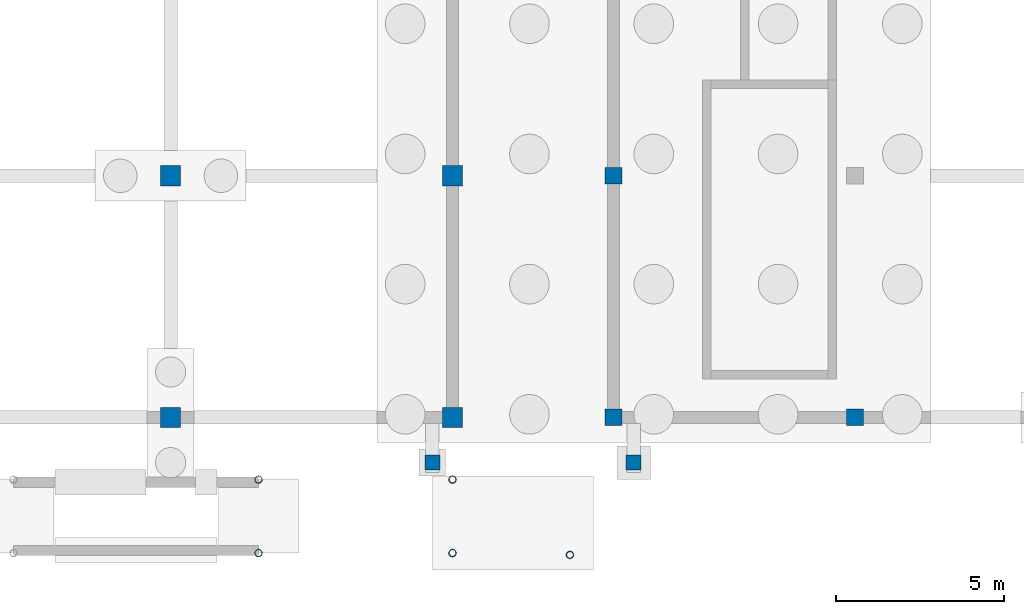
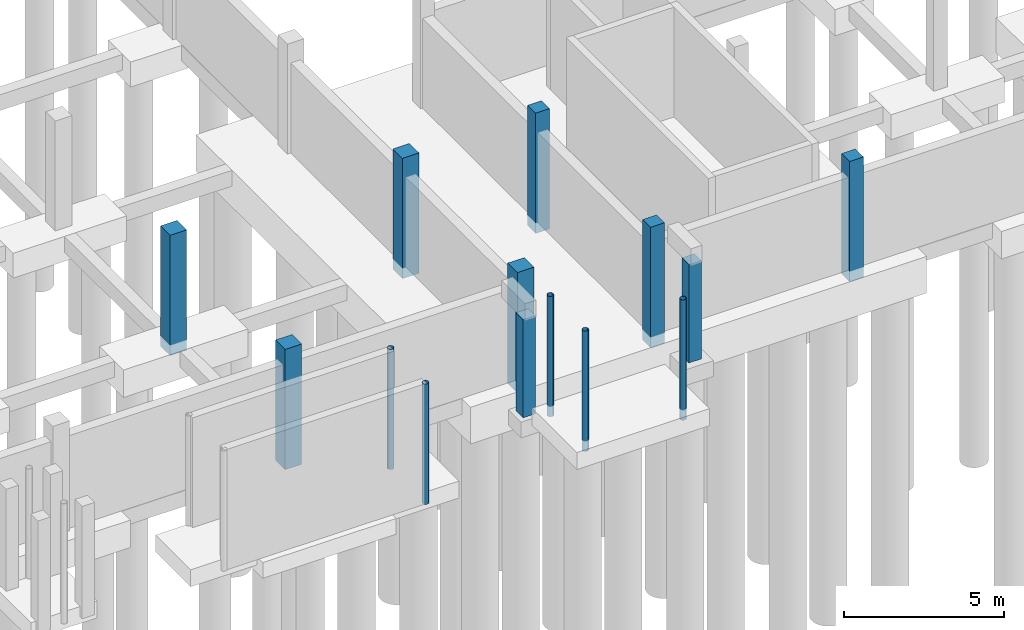
# One storey, part 10 of 22: 14 columns.
"""IFC4 building model written with IfcOpenShell, lengths in metres."""

import ifcopenshell
import ifcopenshell.guid

model = None  # the IFC model being written
_history = None  # IfcOwnerHistory: only IFC2X3 demands one
_inside = {}  # id of a spatial element -> (the spatial element, [elements in it])
_under = {}  # id of a project, library or spatial element -> (it, [spatial elements below it])
_declared = {}  # id of a project -> (the project, [libraries it declares])
_typed = {}  # id of a type object -> (the type object, [elements of that type])
_made_of = {}  # id of a material, layer set ... -> (it, [elements and type objects made of it])


def new_model(schema):
    """Start an empty IFC model of exactly this schema.

    Asked for "IFC4X3", IfcOpenShell would pick the latest addendum, in which some entities
    have other attributes; the version numbers below select the first issue.
    IFC2X3 requires an IfcOwnerHistory on every rooted entity: one is made here for all.
    """
    global model, _history
    if schema == "IFC4X3":
        model = ifcopenshell.file(schema_version=(4, 3, 0, 0))
    else:
        model = ifcopenshell.file(schema=schema)
    _inside.clear()
    _under.clear()
    _declared.clear()
    _typed.clear()
    _made_of.clear()
    _history = None
    if model.schema == "IFC2X3":
        org = make("IfcOrganization", Name="unknown")
        user = make(
            "IfcPersonAndOrganization",
            ThePerson=make("IfcPerson", FamilyName="unknown"),
            TheOrganization=org,
        )
        app = make(
            "IfcApplication",
            ApplicationDeveloper=org,
            Version="unknown",
            ApplicationFullName="unknown",
            ApplicationIdentifier="unknown",
        )
        _history = make(
            "IfcOwnerHistory",
            OwningUser=user,
            OwningApplication=app,
            ChangeAction="ADDED",
            CreationDate=0,
        )
    return model


def make(cls, **values):
    """One entity of the class cls with the attributes given. An attribute that is None is left unset."""
    return model.create_entity(
        cls, **{name: value for name, value in values.items() if value is not None}
    )


def rooted(cls, **values):
    """An entity with a GlobalId (a new one), such as an element, a storey or a relation."""
    return make(cls, GlobalId=ifcopenshell.guid.new(), OwnerHistory=_history, **values)


def si_unit(unit_type, name, prefix=None):
    """IfcSIUnit, for example si_unit("LENGTHUNIT", "METRE", prefix="MILLI")."""
    return make("IfcSIUnit", UnitType=unit_type, Prefix=prefix, Name=name)


def assignment(units):
    """IfcUnitAssignment: the units of a project."""
    return None if units is None else make("IfcUnitAssignment", Units=units)


def point(xyz):
    """IfcCartesianPoint."""
    return None if xyz is None else make("IfcCartesianPoint", Coordinates=xyz)


def direction(xyz):
    """IfcDirection."""
    return None if xyz is None else make("IfcDirection", DirectionRatios=xyz)


def frame(location, z_axis=None, x_axis=None):
    """IfcAxis2Placement3D, a coordinate frame: its origin and axes. An axis left out is left unset."""
    return make(
        "IfcAxis2Placement3D",
        Location=point(location),
        Axis=direction(z_axis),
        RefDirection=direction(x_axis),
    )


def frame_2d(location, x_axis=None):
    """IfcAxis2Placement2D, a coordinate frame in the plane: its origin and x axis."""
    return make(
        "IfcAxis2Placement2D", Location=point(location), RefDirection=direction(x_axis)
    )


def origin():
    """The frame at (0, 0, 0) with its axes left unset."""
    return frame((0.0, 0.0, 0.0))


def origin_2d():
    """The frame at (0, 0) in the plane with its x axis left unset."""
    return frame_2d((0.0, 0.0))


def place(relative_to, where):
    """IfcLocalPlacement: puts the frame where relative to a parent placement (None: the world)."""
    return make(
        "IfcLocalPlacement", PlacementRelTo=relative_to, RelativePlacement=where
    )


def context(
    kind, dimensions, precision=None, world=None, true_north=None, identifier=None
):
    """IfcGeometricRepresentationContext, for example the 3D "Model" context."""
    return make(
        "IfcGeometricRepresentationContext",
        ContextIdentifier=identifier,
        ContextType=kind,
        CoordinateSpaceDimension=dimensions,
        Precision=precision,
        WorldCoordinateSystem=world,
        TrueNorth=true_north,
    )


def subcontext(parent, identifier, kind, view, scale=None):
    """IfcGeometricRepresentationSubContext, for example "Body" below "Model"."""
    return make(
        "IfcGeometricRepresentationSubContext",
        ContextIdentifier=identifier,
        ContextType=kind,
        ParentContext=parent,
        TargetScale=scale,
        TargetView=view,
    )


def project(units=None, contexts=None):
    """IfcProject with its units and contexts."""
    return rooted(
        "IfcProject",
        Name="project",
        RepresentationContexts=contexts,
        UnitsInContext=assignment(units),
    )


def spatial(cls, under=None, at=None, **own):
    """A site, building, storey or space (cls), placed at a placement, below another one or the project."""
    s = rooted(cls, ObjectPlacement=at, **own)
    if under is not None:
        _under.setdefault(under.id(), (under, []))[1].append(s)
    return s


def profile(cls, at=None, kind="AREA", **sizes):
    """A parametric profile (cls). Its sizes go by their IFC names, for example OverallWidth=200.0."""
    return make(cls, ProfileType=kind, Position=at, **sizes)


def rectangle(**sizes):
    """IfcRectangleProfileDef."""
    return profile("IfcRectangleProfileDef", **sizes)


def hollow_circle(**sizes):
    """IfcCircleHollowProfileDef."""
    return profile("IfcCircleHollowProfileDef", **sizes)


def extrude(swept, where, along, depth):
    """IfcExtrudedAreaSolid: the profile swept, set in the frame where, extruded along a direction by depth."""
    return make(
        "IfcExtrudedAreaSolid",
        SweptArea=swept,
        Position=where,
        ExtrudedDirection=direction(along),
        Depth=depth,
    )


def shape(context_of_items, identifier, shape_type, items):
    """IfcShapeRepresentation: the items that make up one representation, for example the "Body"."""
    return make(
        "IfcShapeRepresentation",
        ContextOfItems=context_of_items,
        RepresentationIdentifier=identifier,
        RepresentationType=shape_type,
        Items=items,
    )


def material(Name=None, Category=None):
    """IfcMaterial."""
    return make("IfcMaterial", Name=Name, Category=Category)


def material_profile(
    of_material, cross_section, Name=None, Category=None, Priority=None
):
    """IfcMaterialProfile: a cross section and its material."""
    return make(
        "IfcMaterialProfile",
        Name=Name,
        Material=of_material,
        Profile=cross_section,
        Priority=Priority,
        Category=Category,
    )


def profile_set(profiles, Name=None, composite=None):
    """IfcMaterialProfileSet."""
    return make(
        "IfcMaterialProfileSet",
        Name=Name,
        MaterialProfiles=profiles,
        CompositeProfile=composite,
    )


def made_of(thing, what):
    """Note that an element or type object is made of a material, layer set ...; save() writes the relation."""
    if what is not None:
        _made_of.setdefault(what.id(), (what, []))[1].append(thing)
    return thing


def type_object(cls, material=None, **own):
    """A type object (cls), such as IfcWallType, which elements share."""
    return made_of(rooted(cls, **own), material)


def element(
    cls,
    number,
    at=None,
    inside=None,
    cuts=None,
    type_object=None,
    material=None,
    context=None,
    identifier="Body",
    shape_type=None,
    held_by="IfcProductDefinitionShape",
    body=None,
    shapes=None,
    **own,
):
    """One element of the class cls, such as IfcWall. Its Tag is "e" and its number.

    at: its placement. inside: the storey or other place that contains it. cuts: it is an
    opening in that element (IfcRelVoidsElement). A single representation is given by context,
    identifier, shape_type and body (its items); several are given by shapes. held_by: the class
    of the entity that holds the representations. save() writes the other relations.
    """
    e = rooted(cls, Tag="e%d" % number, ObjectPlacement=at, **own)
    if body is not None:
        shapes = [shape(context, identifier, shape_type, body)]
    if shapes is not None:
        e.Representation = make(held_by, Representations=shapes)
    if inside is not None:
        _inside.setdefault(inside.id(), (inside, []))[1].append(e)
    if cuts is not None:
        rooted(
            "IfcRelVoidsElement", RelatingBuildingElement=cuts, RelatedOpeningElement=e
        )
    if type_object is not None:
        _typed.setdefault(type_object.id(), (type_object, []))[1].append(e)
    return made_of(e, material)


def aggregate(whole, parts):
    """IfcRelAggregates: a whole, such as a stair, and the parts it consists of."""
    return rooted("IfcRelAggregates", RelatingObject=whole, RelatedObjects=parts)


def save(model, path):
    """Write the relations noted so far, then the file.

    IfcRelAggregates (storeys below a building ...), IfcRelContainedInSpatialStructure (elements
    in a storey), IfcRelDefinesByType, IfcRelAssociatesMaterial and IfcRelDeclares: one each for
    every whole, place, type object, material and project.
    """
    for whole, parts in _under.values():
        aggregate(whole, parts)
    for where, things in _inside.values():
        rooted(
            "IfcRelContainedInSpatialStructure",
            RelatedElements=things,
            RelatingStructure=where,
        )
    for kind, things in _typed.values():
        rooted("IfcRelDefinesByType", RelatedObjects=things, RelatingType=kind)
    for what, things in _made_of.values():
        rooted("IfcRelAssociatesMaterial", RelatedObjects=things, RelatingMaterial=what)
    for by, libraries in _declared.values():
        rooted("IfcRelDeclares", RelatingContext=by, RelatedDefinitions=libraries)
    model.write(path)


model = new_model("IFC4")

# Units and contexts
model_context = context("Model", 3, precision=1e-05, world=origin(), true_north=direction((0.0, 1.0)))
body_context = subcontext(model_context, "Body", "Model", "MODEL_VIEW")
ifc_project = project(units=[si_unit("LENGTHUNIT", "METRE"), si_unit("AREAUNIT", "SQUARE_METRE"), si_unit("VOLUMEUNIT", "CUBIC_METRE"), si_unit("PLANEANGLEUNIT", "RADIAN"), si_unit("MASSUNIT", "GRAM", prefix="KILO")], contexts=[model_context])

# Site, building, storey
site_placement = place(None, origin())
site = spatial("IfcSite", under=ifc_project, at=site_placement, CompositionType="ELEMENT")
building_placement = place(site_placement, origin())
building = spatial("IfcBuilding", under=site, at=building_placement, Name="Kahlenmark Community Centre", CompositionType="ELEMENT")
storey_placement = place(building_placement, frame((0.0, 0.0, -4.199951171875)))
storey = spatial("IfcBuildingStorey", under=building, at=storey_placement, Name="B1", CompositionType="ELEMENT", Elevation=-4.199951171875)

# Columns
ifc_material_1 = material(Name="Concrete C35/45", Category="concrete")
ifc_material_profile_1 = material_profile(ifc_material_1, rectangle(XDim=0.449951171875, YDim=0.449951171875, at=origin_2d()), Name="RC 450x450")
ifc_profile_set_1 = profile_set([ifc_material_profile_1], Name="Concrete C35/45")
column_type_1 = type_object("IfcColumnType", Name="CT-PIER-RMP-RC450", PredefinedType="COLUMN", material=ifc_profile_set_1)
for number, where, z_axis, x_axis, name in (
    (1, (45.39990234375, 7.449951171875, -0.400146484375), (0.0, 0.0, 1.0), (1.0, 0.0, 0.0), "Threshold ramp support pier 01"),
    (2, (51.39990234375, 7.449951171875, -0.400146484375), (0.0, 0.0, 1.0), (1.0, 0.0, 0.0), "Threshold ramp support pier 02"),
):
    element("IfcColumn", number, at=place(storey_placement, frame(where, z_axis=z_axis, x_axis=x_axis)), inside=storey, type_object=column_type_1, Name=name, PredefinedType="COLUMN", context=body_context, shape_type="SweptSolid", body=[
        extrude(rectangle(XDim=0.449951171875, YDim=0.449951171875, at=origin_2d()), origin(), (0.0, 0.0, 1.0), 3.75),
    ])
ifc_material_profile_2 = material_profile(ifc_material_1, rectangle(XDim=0.5, YDim=0.5, at=origin_2d()), Name="RC 500x500")
ifc_profile_set_2 = profile_set([ifc_material_profile_2], Name="Concrete C35/45")
column_type_2 = type_object("IfcColumnType", Name="CT-RC500", PredefinedType="COLUMN", material=ifc_profile_set_2)
for number, where, z_axis, x_axis, name in (
    (3, (50.800048828125, 8.800048828125, -0.400146484375), (0.0, 0.0, 1.0), (1.0, 0.0, 0.0), "B1 column (50.8, 8.8)"),
    (4, (50.800048828125, 16.0, -0.400146484375), (0.0, 0.0, 1.0), (1.0, 0.0, 0.0), "B1 column (50.8, 16.0)"),
    (5, (58.0, 8.800048828125, -0.400146484375), (0.0, 0.0, 1.0), (1.0, 0.0, 0.0), "B1 column (58.0, 8.8)"),
):
    element("IfcColumn", number, at=place(storey_placement, frame(where, z_axis=z_axis, x_axis=x_axis)), inside=storey, type_object=column_type_2, Name=name, PredefinedType="COLUMN", context=body_context, shape_type="SweptSolid", body=[
        extrude(rectangle(XDim=0.5, YDim=0.5, at=origin_2d()), origin(), (0.0, 0.0, 1.0), 4.60009765625),
    ])
ifc_material_profile_3 = material_profile(ifc_material_1, rectangle(XDim=0.60009765625, YDim=0.60009765625, at=origin_2d()), Name="RC 600x600")
ifc_profile_set_3 = profile_set([ifc_material_profile_3], Name="Concrete C35/45")
column_type_3 = type_object("IfcColumnType", Name="CT-RC600", PredefinedType="COLUMN", material=ifc_profile_set_3)
for number, where, z_axis, x_axis, name in (
    (6, (37.60009765625, 8.800048828125, -0.400146484375), (0.0, 0.0, 1.0), (1.0, 0.0, 0.0), "B1 column (37.6, 8.8)"),
    (7, (37.60009765625, 16.0, -0.400146484375), (0.0, 0.0, 1.0), (1.0, 0.0, 0.0), "B1 column (37.6, 16.0)"),
    (8, (46.0, 8.800048828125, -0.400146484375), (0.0, 0.0, 1.0), (1.0, 0.0, 0.0), "B1 column (46.0, 8.8)"),
    (9, (46.0, 16.0, -0.400146484375), (0.0, 0.0, 1.0), (1.0, 0.0, 0.0), "B1 column (46.0, 16.0)"),
):
    element("IfcColumn", number, at=place(storey_placement, frame(where, z_axis=z_axis, x_axis=x_axis)), inside=storey, type_object=column_type_3, Name=name, PredefinedType="COLUMN", context=body_context, shape_type="SweptSolid", body=[
        extrude(rectangle(XDim=0.60009765625, YDim=0.60009765625, at=origin_2d()), origin(), (0.0, 0.0, 1.0), 4.60009765625),
    ])
ifc_material_2 = material(Name="Steel S355", Category="steel")
ifc_material_profile_4 = material_profile(ifc_material_2, hollow_circle(Radius=0.109619140625, WallThickness=0.010009765625, at=origin_2d()), Name="CHS 219.1x10")
ifc_profile_set_4 = profile_set([ifc_material_profile_4], Name="Steel S355")
column_type_4 = type_object("IfcColumnType", Name="CT-ST09-CHS219", PredefinedType="COLUMN", material=ifc_profile_set_4)
for number, where, z_axis, x_axis, name in (
    (10, (40.219970703125, 4.7548828125, -0.400146484375), (0.0, 0.0, 1.0), (1.0, 0.0, 0.0), "Ceremonial stair pier column B1-5"),
    (11, (40.219970703125, 6.945068359375, -0.400146484375), (0.0, 0.0, 1.0), (1.0, 0.0, 0.0), "Ceremonial stair pier column B1-6"),
    (12, (46.0, 4.7548828125, -0.400146484375), (0.0, 0.0, 1.0), (1.0, 0.0, 0.0), "Ceremonial stair pier column B1-7"),
    (13, (46.0, 6.945068359375, -0.400146484375), (0.0, 0.0, 1.0), (1.0, 0.0, 0.0), "Ceremonial stair pier column B1-8"),
    (14, (49.5, 4.699951171875, -0.400146484375), (0.0, 0.0, 1.0), (1.0, 0.0, 0.0), "Ceremonial stair pier column B1-9"),
):
    element("IfcColumn", number, at=place(storey_placement, frame(where, z_axis=z_axis, x_axis=x_axis)), inside=storey, type_object=column_type_4, Name=name, PredefinedType="COLUMN", context=body_context, shape_type="SweptSolid", body=[
        extrude(hollow_circle(Radius=0.109619140625, WallThickness=0.010009765625, at=origin_2d()), origin(), (0.0, 0.0, 1.0), 4.60009765625),
    ])

save(model, "model.ifc")
